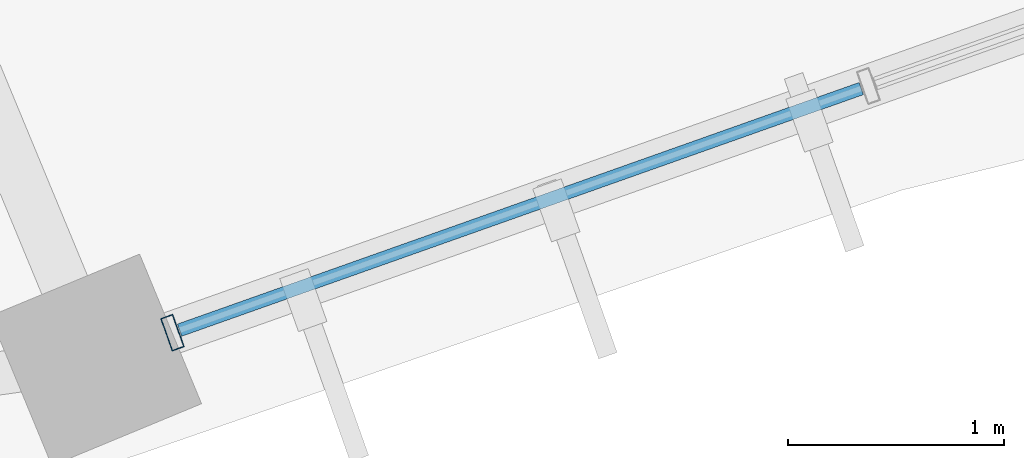
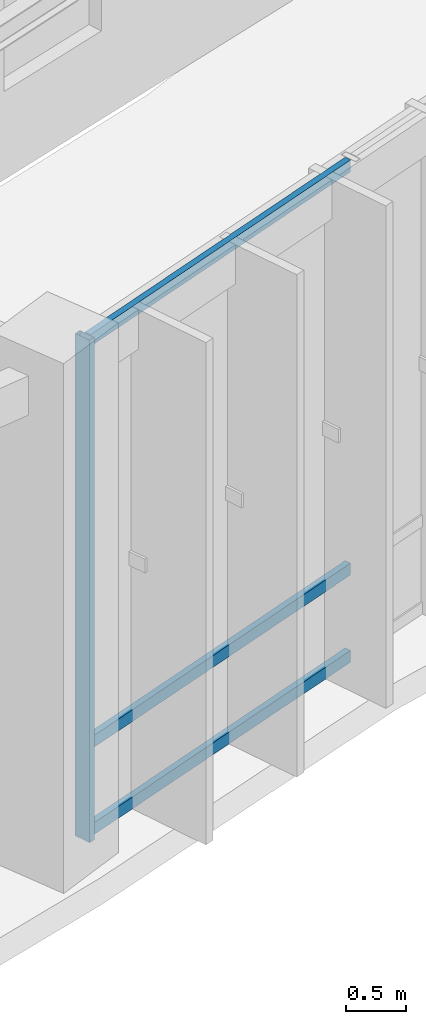
# One storey, part 60 of 157: 4 members, 1 element without a shape of its own.
"""IFC4 building model written with IfcOpenShell, lengths in metres."""

from ifc_helpers import new_model, si_unit, direction, frame, origin, origin_2d, place, context, subcontext, project, spatial, hollow_rectangle, extrude, material, material_profile, profile_set, type_object, element, aggregate, save


model = new_model("IFC4")

# Units and contexts
model_context = context("Model", 3, precision=1e-05, world=origin(), true_north=direction((0.0, 1.0)))
body_context = subcontext(model_context, "Body", "Model", "MODEL_VIEW")
ifc_project = project(units=[si_unit("LENGTHUNIT", "METRE"), si_unit("AREAUNIT", "SQUARE_METRE"), si_unit("VOLUMEUNIT", "CUBIC_METRE"), si_unit("PLANEANGLEUNIT", "RADIAN"), si_unit("MASSUNIT", "GRAM", prefix="KILO"), si_unit("THERMODYNAMICTEMPERATUREUNIT", "KELVIN"), si_unit("POWERUNIT", "WATT")], contexts=[model_context])

# Site, building, storey
site_placement = place(None, origin())
site = spatial("IfcSite", under=ifc_project, at=site_placement, CompositionType="ELEMENT")
building_placement = place(site_placement, origin())
building = spatial("IfcBuilding", under=site, at=building_placement, Name="Darbajah Civic Hall", CompositionType="ELEMENT")
storey_placement = place(building_placement, origin())
storey = spatial("IfcBuildingStorey", under=building, at=storey_placement, Name="L00", CompositionType="ELEMENT", Elevation=0.0)

# Curtain wall, members
ifc_material_1 = material(Name="Anodised Bronze Aluminium and Low-E Glazing", Category="aluminium")
curtain_wall_type = type_object("IfcCurtainWallType", Name="Unitised Curtain Wall CW-15 13700x5100", PredefinedType="USERDEFINED", material=ifc_material_1)
curtain_wall_placement = place(storey_placement, origin())
curtain_wall = element("IfcCurtainWall", 1, at=curtain_wall_placement, inside=storey, type_object=curtain_wall_type, Name="L00 unitised curtain wall CW-V1O-L00-16", ObjectType="UNITISED CURTAIN WALL", PredefinedType="USERDEFINED")
ifc_material_2 = material(Name="Anodised Bronze Aluminium", Category="aluminium")
ifc_material_profile_1 = material_profile(ifc_material_2, hollow_rectangle(XDim=0.06005859375, YDim=0.159912109375, WallThickness=0.00341796875, at=origin_2d()), Name="ALU MULLION 60x160")
ifc_profile_set_1 = profile_set([ifc_material_profile_1], Name="Anodised Bronze Aluminium")
member_type_1 = type_object("IfcMemberType", Name="ALU MULLION 60x160", PredefinedType="MULLION", material=ifc_profile_set_1)
member_1_placement = place(storey_placement, frame((108.97216796875, 62.671630859375, 0.0), z_axis=(0.0, 0.0, 1.0), x_axis=(0.94252491309, 0.334135882844, 0.0)))
member_1 = element("IfcMember", 2, at=member_1_placement, type_object=member_type_1, Name="CW-V1O-L00-16 mullion 1", PredefinedType="MULLION", context=body_context, shape_type="SweptSolid", body=[
    extrude(hollow_rectangle(XDim=0.06005859375, YDim=0.159912109375, WallThickness=0.00341796875, at=origin_2d()), origin(), (0.0, 0.0, 1.0), 5.1201171875),
])
ifc_material_profile_2 = material_profile(ifc_material_2, hollow_rectangle(XDim=0.06005859375, YDim=0.1201171875, WallThickness=0.003173828125, at=origin_2d()), Name="ALU TRANSOM 60x120")
ifc_profile_set_2 = profile_set([ifc_material_profile_2], Name="Anodised Bronze Aluminium")
member_type_2 = type_object("IfcMemberType", Name="ALU TRANSOM 60x120", PredefinedType="USERDEFINED", material=ifc_profile_set_2)
member_2_placement = place(storey_placement, frame((109.005126953125, 62.683349609375, 0.06005859375), z_axis=(0.942553625563, 0.334054880128, 0.0), x_axis=(-0.334054880128, 0.942553625563, 0.0)))
member_2 = element("IfcMember", 3, at=member_2_placement, type_object=member_type_2, Name="CW-V1O-L00-16 transom 1.1", ObjectType="TRANSOM", PredefinedType="USERDEFINED", context=body_context, shape_type="SweptSolid", body=[
    extrude(hollow_rectangle(XDim=0.06005859375, YDim=0.1201171875, WallThickness=0.003173828125, at=origin_2d()), origin(), (0.0, 0.0, 1.0), 3.35009765625),
])
member_3_placement = place(storey_placement, frame((109.005126953125, 62.683349609375, 0.949951171875), z_axis=(0.942553625563, 0.334054880128, 0.0), x_axis=(-0.334054880128, 0.942553625563, 0.0)))
member_3 = element("IfcMember", 4, at=member_3_placement, type_object=member_type_2, Name="CW-V1O-L00-16 transom 1.2", ObjectType="TRANSOM", PredefinedType="USERDEFINED", context=body_context, shape_type="SweptSolid", body=[
    extrude(hollow_rectangle(XDim=0.06005859375, YDim=0.1201171875, WallThickness=0.003173828125, at=origin_2d()), origin(), (0.0, 0.0, 1.0), 3.35009765625),
])
member_4_placement = place(storey_placement, frame((109.005126953125, 62.683349609375, 5.06005859375), z_axis=(0.942553625563, 0.334054880128, 0.0), x_axis=(-0.334054880128, 0.942553625563, 0.0)))
member_4 = element("IfcMember", 5, at=member_4_placement, type_object=member_type_2, Name="CW-V1O-L00-16 transom 1.3", ObjectType="TRANSOM", PredefinedType="USERDEFINED", context=body_context, shape_type="SweptSolid", body=[
    extrude(hollow_rectangle(XDim=0.06005859375, YDim=0.1201171875, WallThickness=0.003173828125, at=origin_2d()), origin(), (0.0, 0.0, 1.0), 3.35009765625),
])
aggregate(curtain_wall, [member_1, member_2, member_3, member_4])

save(model, "model.ifc")
